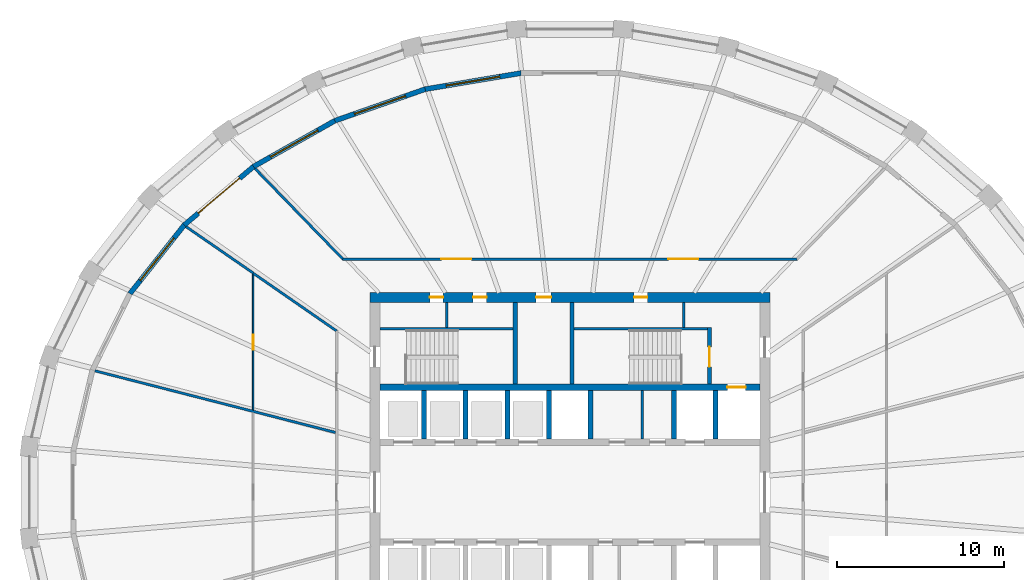
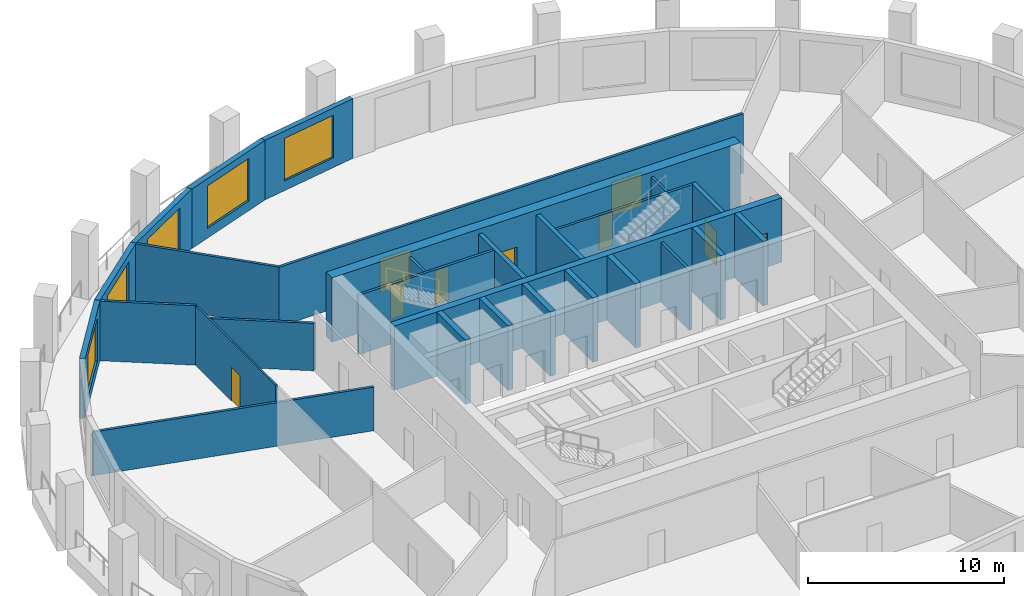
# One storey, part 6 of 10: 28 walls, 10 doors, 4 windows, 14 openings.
"""IFC4 building model written with IfcOpenShell, lengths in metres."""

from ifc_helpers import new_model, si_unit, direction, frame, frame_2d, origin, place, context, subcontext, project, spatial, polyline, rectangle, outline, extrude, material, layer, layer_set, type_object, element, fill, save


model = new_model("IFC4")

# Units and contexts
model_context = context("Model", 3, precision=1e-05, world=origin(), true_north=direction((0.0, 1.0)))
body_context = subcontext(model_context, "Body", "Model", "MODEL_VIEW")
ifc_project = project(units=[si_unit("LENGTHUNIT", "METRE"), si_unit("AREAUNIT", "SQUARE_METRE"), si_unit("VOLUMEUNIT", "CUBIC_METRE"), si_unit("PLANEANGLEUNIT", "RADIAN"), si_unit("MASSUNIT", "GRAM", prefix="KILO")], contexts=[model_context])

# Site, building, storey
site_placement = place(None, origin())
site = spatial("IfcSite", under=ifc_project, at=site_placement, CompositionType="ELEMENT")
building_placement = place(site_placement, origin())
building = spatial("IfcBuilding", under=site, at=building_placement, Name="Halqa Exchange Tower", CompositionType="ELEMENT")
storey_placement = place(building_placement, frame((0.0, 0.0, 190.89990234375)))
storey = spatial("IfcBuildingStorey", under=building, at=storey_placement, Name="L43", CompositionType="ELEMENT", Elevation=190.89990234375)

# Walls
ifc_material_1 = material(Name="Fire-rated gypsum board")
ifc_layer_1 = layer(ifc_material_1, 0.14990234375)
ifc_layer_set_1 = layer_set([ifc_layer_1], Name="Fire-rated gypsum board")
wall_type_1 = type_object("IfcWallType", Name="Fire partition EI 60 150", PredefinedType="PARTITIONING", material=ifc_layer_set_1)
wall_1_placement = place(storey_placement, frame((-28.494384765625, 7.294189453125, 0.0), z_axis=(0.0, 0.0, 1.0), x_axis=(0.96870063855, -0.248231893342, 0.0)))
element("IfcWall", 1, at=wall_1_placement, inside=storey, type_object=wall_type_1, Name="L43-PWL-002", PredefinedType="PARTITIONING", context=body_context, shape_type="SweptSolid", body=[
    extrude(outline(polyline([(0.0, -0.074951171875), (1.97314453125, -0.074951171875), (3.946533203125, -0.074951171875), (5.919677734375, -0.074951171875), (7.892822265625, -0.074951171875), (9.8662109375, -0.074951171875), (9.87158203125, -0.073486328125), (9.8720703125, -0.074951171875), (11.54931640625, -0.074951171875), (13.226806640625, -0.074951171875), (14.904296875, -0.074951171875), (14.904296875, -0.07421875), (14.865966796875, 0.074951171875), (13.156005859375, 0.074951171875), (11.446044921875, 0.074951171875), (9.736083984375, 0.074951171875), (9.730712890625, 0.073486328125), (9.730224609375, 0.074951171875), (7.787109375, 0.074951171875), (5.84375, 0.074951171875), (3.900634765625, 0.074951171875), (1.957275390625, 0.074951171875), (0.013916015625, 0.074951171875), (0.0, 0.0078125), (0.0, -0.074951171875)])), origin(), (0.0, 0.0, 1.0), 2.710205078125),
])
wall_2_placement = place(storey_placement, frame((-23.024169921875, 15.940185546875, 0.0), z_axis=(0.0, 0.0, 1.0), x_axis=(0.822739240619, -0.568418984505, 0.0)))
element("IfcWall", 2, at=wall_2_placement, inside=storey, type_object=wall_type_1, Name="L43-PWL-004", PredefinedType="PARTITIONING", context=body_context, shape_type="SweptSolid", body=[
    extrude(outline(polyline([(4.896728515625, 0.074951171875), (3.272705078125, 0.074951171875), (1.648681640625, 0.074951171875), (0.024658203125, 0.074951171875), (0.004638671875, 0.001708984375), (0.0, -0.0693359375), (0.0, -0.074951171875), (1.63232421875, -0.074951171875), (3.264404296875, -0.074951171875), (4.896728515625, -0.074951171875), (4.896728515625, 0.074951171875)])), origin(), (0.0, 0.0, 1.0), 3.7001953125),
])
wall_3_placement = place(storey_placement, frame((-19.0, 13.14990234375, 0.0), z_axis=(0.0, 0.0, 1.0), x_axis=(0.822301327334, -0.569052306088, 0.0)))
element("IfcWall", 3, at=wall_3_placement, inside=storey, type_object=wall_type_1, Name="L43-PWL-008", PredefinedType="PARTITIONING", context=body_context, shape_type="SweptSolid", body=[
    extrude(outline(polyline([(0.0, -0.074951171875), (1.51025390625, -0.074951171875), (3.0205078125, -0.074951171875), (4.53076171875, -0.074951171875), (6.041015625, -0.074951171875), (6.11962890625, 0.074951171875), (4.589599609375, 0.074951171875), (3.059814453125, 0.074951171875), (1.52978515625, 0.074951171875), (0.0, 0.074951171875), (0.0, -0.074951171875)])), origin(), (0.0, 0.0, 1.0), 2.947021484375),
])
wall_4_placement = place(storey_placement, frame((-18.89306640625, 19.427001953125, 0.0), z_axis=(0.0, 0.0, 1.0), x_axis=(0.696864554069, -0.717202756048, 0.0)))
element("IfcWall", 4, at=wall_4_placement, inside=storey, type_object=wall_type_1, Name="L43-PWL-009", PredefinedType="PARTITIONING", context=body_context, shape_type="SweptSolid", body=[
    extrude(outline(polyline([(0.0, -0.074951171875), (1.899658203125, -0.074951171875), (3.79931640625, -0.074951171875), (5.698974609375, -0.074951171875), (7.5986328125, -0.074951171875), (7.56689453125, 0.0), (7.53515625, 0.074951171875), (5.65771484375, 0.074951171875), (3.7802734375, 0.074951171875), (1.90283203125, 0.074951171875), (0.025390625, 0.074951171875), (0.0048828125, -0.002685546875), (0.0, -0.072998046875), (0.0, -0.074951171875)])), origin(), (0.0, 0.0, 1.0), 3.7001953125),
])

# Wall, openings, doors
wall_5_placement = place(storey_placement, frame((-13.651611328125, 14.0, 0.0), z_axis=(0.0, 0.0, 1.0), x_axis=(1.0, 0.0, 0.0)))
wall_5 = element("IfcWall", 5, at=wall_5_placement, inside=storey, type_object=wall_type_1, Name="L43-PWL-012", PredefinedType="PARTITIONING", context=body_context, shape_type="SweptSolid", body=[
    extrude(outline(polyline([(27.30322265625, -0.074951171875), (27.30322265625, -0.07470703125), (27.239990234375, 0.074951171875), (25.298828125, 0.074951171875), (23.357666015625, 0.074951171875), (21.416259765625, 0.074951171875), (19.47509765625, 0.074951171875), (17.533935546875, 0.074951171875), (15.5927734375, 0.074951171875), (13.651611328125, 0.074951171875), (11.71044921875, 0.074951171875), (9.769287109375, 0.074951171875), (7.828125, 0.074951171875), (5.886962890625, 0.074951171875), (3.945556640625, 0.074951171875), (2.00439453125, 0.074951171875), (0.063232421875, 0.074951171875), (0.0, -0.07470703125), (0.0, -0.074951171875), (1.9501953125, -0.074951171875), (3.900390625, -0.074951171875), (5.8505859375, -0.074951171875), (7.801025390625, -0.074951171875), (9.751220703125, -0.074951171875), (11.701416015625, -0.074951171875), (13.651611328125, -0.074951171875), (15.601806640625, -0.074951171875), (17.552001953125, -0.074951171875), (19.502197265625, -0.074951171875), (21.45263671875, -0.074951171875), (23.40283203125, -0.074951171875), (25.35302734375, -0.074951171875), (27.30322265625, -0.074951171875)])), origin(), (0.0, 0.0, 1.0), 3.7001953125),
])
opening_1_placement = place(wall_5_placement, frame((19.561767578125, 0.0, 0.0)))
opening_1 = element("IfcOpeningElement", 6, at=opening_1_placement, cuts=wall_5, Name="Opening 13-01", PredefinedType="OPENING", context=body_context, shape_type="SweptSolid", body=[
    extrude(rectangle(XDim=1.800048828125, YDim=2.10009765625, at=frame_2d((0.89990234375, 1.050048828125))), frame((0.0, 0.0869140625, 0.0), z_axis=(0.0, -1.0, 0.0), x_axis=(1.0, 0.0, 0.0)), (0.0, 0.0, 1.0), 0.173828125),
])
opening_2_placement = place(wall_5_placement, frame((5.941650390625, 0.0, 0.0)))
opening_2 = element("IfcOpeningElement", 7, at=opening_2_placement, cuts=wall_5, Name="Opening 13-02", PredefinedType="OPENING", context=body_context, shape_type="SweptSolid", body=[
    extrude(rectangle(XDim=1.800048828125, YDim=2.10009765625, at=frame_2d((0.89990234375, 1.050048828125))), frame((0.0, 0.0869140625, 0.0), z_axis=(0.0, -1.0, 0.0), x_axis=(1.0, 0.0, 0.0)), (0.0, 0.0, 1.0), 0.173828125),
])
ifc_material_2 = material(Name="Steel fire door leaf", Category="steel")
door_type_1 = type_object("IfcDoorType", Name="Fire door FD30S double 1800 x 2100", OperationType="DOUBLE_DOOR_SINGLE_SWING", PredefinedType="DOOR", material=ifc_material_2)
door_1_placement = place(opening_1_placement, origin())
door_1 = element("IfcDoor", 8, at=door_1_placement, inside=storey, type_object=door_type_1, Name="L43-IDR-001", OperationType="DOUBLE_DOOR_SINGLE_SWING", OverallHeight=2.10009765625, OverallWidth=1.800048828125, PredefinedType="DOOR", context=body_context, shape_type="SweptSolid", body=[
    extrude(rectangle(XDim=1.800048828125, YDim=2.10009765625, at=frame_2d((0.89990234375, 1.050048828125))), frame((0.0, 0.02490234375, 0.0), z_axis=(0.0, -1.0, 0.0), x_axis=(1.0, 0.0, 0.0)), (0.0, 0.0, 1.0), 0.050048828125),
])
fill(opening_1, door_1)
door_2_placement = place(opening_2_placement, origin())
door_2 = element("IfcDoor", 9, at=door_2_placement, inside=storey, type_object=door_type_1, Name="L43-IDR-002", OperationType="DOUBLE_DOOR_SINGLE_SWING", OverallHeight=2.10009765625, OverallWidth=1.800048828125, PredefinedType="DOOR", context=body_context, shape_type="SweptSolid", body=[
    extrude(rectangle(XDim=1.800048828125, YDim=2.10009765625, at=frame_2d((0.89990234375, 1.050048828125))), frame((0.0, 0.02490234375, 0.0), z_axis=(0.0, -1.0, 0.0), x_axis=(1.0, 0.0, 0.0)), (0.0, 0.0, 1.0), 0.050048828125),
])
fill(opening_2, door_2)

# Wall, opening, door
ifc_material_3 = material(Name="Gypsum board")
ifc_layer_2 = layer(ifc_material_3, 0.10009765625)
ifc_layer_set_2 = layer_set([ifc_layer_2], Name="Gypsum board")
wall_type_2 = type_object("IfcWallType", Name="Partition 100 gypsum", PredefinedType="PARTITIONING", material=ifc_layer_set_2)
wall_6_placement = place(storey_placement, frame((-19.0, 4.926025390625, 0.0), z_axis=(0.0, 0.0, 1.0), x_axis=(0.0, 1.0, 0.0)))
wall_6 = element("IfcWall", 10, at=wall_6_placement, inside=storey, type_object=wall_type_2, Name="L43-PWL-007", PredefinedType="PARTITIONING", context=body_context, shape_type="SweptSolid", body=[
    extrude(outline(polyline([(0.0, -0.050048828125), (1.61962890625, -0.050048828125), (3.2392578125, -0.050048828125), (4.85888671875, -0.050048828125), (6.478515625, -0.050048828125), (8.09814453125, -0.050048828125), (8.162353515625, 0.042724609375), (8.169189453125, 0.0380859375), (8.177001953125, 0.049560546875), (8.177001953125, 0.050048828125), (6.546630859375, 0.050048828125), (4.91650390625, 0.050048828125), (3.2861328125, 0.050048828125), (1.65576171875, 0.050048828125), (0.025390625, 0.050048828125), (0.0, -0.04931640625), (0.0, -0.050048828125)])), origin(), (0.0, 0.0, 1.0), 3.7001953125),
])
opening_3_placement = place(wall_6_placement, frame((3.62890625, 0.0, 0.0)))
opening_3 = element("IfcOpeningElement", 11, at=opening_3_placement, cuts=wall_6, Name="Opening 13-12", PredefinedType="OPENING", context=body_context, shape_type="SweptSolid", body=[
    extrude(rectangle(XDim=0.89990234375, YDim=2.10009765625, at=frame_2d((0.449951171875, 1.050048828125))), frame((0.0, 0.06201171875, 0.0), z_axis=(0.0, -1.0, 0.0), x_axis=(1.0, 0.0, 0.0)), (0.0, 0.0, 1.0), 0.1240234375),
])
ifc_material_4 = material(Name="Timber door leaf", Category="wood")
door_type_2 = type_object("IfcDoorType", Name="Door 900 x 2100", OperationType="SINGLE_SWING_LEFT", PredefinedType="DOOR", material=ifc_material_4)
door_3_placement = place(opening_3_placement, frame((0.89990234375, 0.0, 0.0), z_axis=(0.0, 0.0, 1.0), x_axis=(-1.0, 0.0, 0.0)))
door_3 = element("IfcDoor", 12, at=door_3_placement, inside=storey, type_object=door_type_2, Name="L43-IDR-012", OperationType="SINGLE_SWING_RIGHT", OverallHeight=2.10009765625, OverallWidth=0.89990234375, PredefinedType="DOOR", context=body_context, shape_type="SweptSolid", body=[
    extrude(rectangle(XDim=0.89990234375, YDim=2.10009765625, at=frame_2d((0.449951171875, 1.050048828125))), frame((0.0, 0.02490234375, 0.0), z_axis=(0.0, -1.0, 0.0), x_axis=(1.0, 0.0, 0.0)), (0.0, 0.0, 1.0), 0.050048828125),
])
fill(opening_3, door_3)

# Walls
ifc_layer_3 = layer(ifc_material_3, 0.14990234375)
ifc_layer_set_3 = layer_set([ifc_layer_3], Name="Gypsum board")
wall_type_3 = type_object("IfcWallType", Name="Penthouse riser wall 150 gypsum", PredefinedType="PARTITIONING", material=ifc_layer_set_3)
for number, where, z_axis, x_axis, name in (
    (13, (-7.39990234375, 9.89990234375, 0.0), (0.0, 0.0, 1.0), (0.0, 1.0, 0.0), "Partition W7.400 N"),
    (14, (6.824951171875, 9.89990234375, 0.0), (0.0, 0.0, 1.0), (0.0, 1.0, 0.0), "Firefighting lobby west wall N"),
):
    element("IfcWall", number, at=place(storey_placement, frame(where, z_axis=z_axis, x_axis=x_axis)), inside=storey, type_object=wall_type_3, Name=name, PredefinedType="PARTITIONING", context=body_context, shape_type="SweptSolid", body=[
        extrude(rectangle(XDim=1.5, YDim=0.14990234375, at=frame_2d((0.75, 0.0))), origin(), (0.0, 0.0, 1.0), 3.7001953125),
    ])
wall_7_placement = place(storey_placement, frame((4.35009765625, 3.199951171875, 0.0), z_axis=(0.0, 0.0, 1.0), x_axis=(0.0, 1.0, 0.0)))
element("IfcWall", 15, at=wall_7_placement, inside=storey, type_object=wall_type_3, Name="Freed bay partition NE4.350", PredefinedType="PARTITIONING", context=body_context, shape_type="SweptSolid", body=[
    extrude(rectangle(XDim=2.900146484375, YDim=0.14990234375, at=frame_2d((1.4501953125, 0.0))), origin(), (0.0, 0.0, 1.0), 3.7001953125),
])
ifc_material_5 = material(Name="Concrete C60/75", Category="concrete")
ifc_layer_4 = layer(ifc_material_5, 0.300048828125)
ifc_layer_set_4 = layer_set([ifc_layer_4], Name="Concrete C60/75")
wall_type_4 = type_object("IfcWallType", Name="RC core wall 300", PredefinedType="SHEAR", material=ifc_layer_set_4)
for number, where, z_axis, x_axis, name in (
    (16, (-8.75, 3.199951171875, 0.0), (0.0, 0.0, 1.0), (0.0, 1.0, 0.0), "Shaft divider N1"),
    (17, (-6.25, 3.199951171875, 0.0), (0.0, 0.0, 1.0), (0.0, 1.0, 0.0), "Shaft divider N2"),
    (18, (-3.75, 3.199951171875, 0.0), (0.0, 0.0, 1.0), (0.0, 1.0, 0.0), "Shaft divider N3"),
    (19, (-1.25, 3.199951171875, 0.0), (0.0, 0.0, 1.0), (0.0, 1.0, 0.0), "Shaft divider N4"),
    (20, (1.25, 3.199951171875, 0.0), (0.0, 0.0, 1.0), (0.0, 1.0, 0.0), "Shaft divider N5"),
    (21, (6.25, 3.199951171875, 0.0), (0.0, 0.0, 1.0), (0.0, 1.0, 0.0), "Shaft divider N7"),
    (22, (8.75, 3.199951171875, 0.0), (0.0, 0.0, 1.0), (0.0, 1.0, 0.0), "Shaft divider N8"),
):
    element("IfcWall", number, at=place(storey_placement, frame(where, z_axis=z_axis, x_axis=x_axis)), inside=storey, type_object=wall_type_4, Name=name, PredefinedType="SHEAR", context=body_context, shape_type="SweptSolid", body=[
        extrude(rectangle(XDim=2.900146484375, YDim=0.300048828125, at=frame_2d((1.4501953125, 0.0))), origin(), (0.0, 0.0, 1.0), 4.0),
    ])

# Wall, opening, door
ifc_material_6 = material(Name="Concrete C70/85", Category="concrete")
ifc_layer_5 = layer(ifc_material_6, 0.39990234375)
ifc_layer_set_5 = layer_set([ifc_layer_5], Name="Concrete C70/85")
wall_type_5 = type_object("IfcWallType", Name="RC core wall 400 C70/85", PredefinedType="SHEAR", material=ifc_layer_set_5)
wall_8_placement = place(storey_placement, frame((-11.39990234375, 6.300048828125, 0.0), z_axis=(0.0, 0.0, 1.0), x_axis=(1.0, 0.0, 0.0)))
wall_8 = element("IfcWall", 23, at=wall_8_placement, inside=storey, type_object=wall_type_5, Name="Lift row back wall N", PredefinedType="SHEAR", context=body_context, shape_type="SweptSolid", body=[
    extrude(rectangle(XDim=22.7998046875, YDim=0.39990234375, at=frame_2d((11.39990234375, 0.0))), origin(), (0.0, 0.0, 1.0), 4.0),
])
opening_4_placement = place(wall_8_placement, frame((20.85009765625, 0.0, 0.0)))
opening_4 = element("IfcOpeningElement", 24, at=opening_4_placement, cuts=wall_8, Name="Opening LD-FF1-T13", PredefinedType="OPENING", context=body_context, shape_type="SweptSolid", body=[
    extrude(rectangle(XDim=1.10009765625, YDim=2.10009765625, at=frame_2d((0.550048828125, 1.050048828125))), frame((0.0, 0.2119140625, 0.0), z_axis=(0.0, -1.0, 0.0), x_axis=(1.0, 0.0, 0.0)), (0.0, 0.0, 1.0), 0.423828125),
])
ifc_material_7 = material(Name="Stainless steel", Category="steel")
door_type_3 = type_object("IfcDoorType", Name="Lift landing door 1100 x 2100", OperationType="SLIDING_TO_LEFT", PredefinedType="DOOR", material=ifc_material_7)
door_4_placement = place(opening_4_placement, origin())
door_4 = element("IfcDoor", 25, at=door_4_placement, inside=storey, type_object=door_type_3, Name="Lift landing door FF1", OperationType="SLIDING_TO_LEFT", OverallHeight=2.10009765625, OverallWidth=1.10009765625, PredefinedType="DOOR", context=body_context, shape_type="SweptSolid", body=[
    extrude(rectangle(XDim=1.10009765625, YDim=2.10009765625, at=frame_2d((0.550048828125, 1.050048828125))), frame((0.0, 0.02490234375, 0.0), z_axis=(0.0, -1.0, 0.0), x_axis=(1.0, 0.0, 0.0)), (0.0, 0.0, 1.0), 0.050048828125),
])
fill(opening_4, door_4)

# Wall, openings, doors
ifc_layer_6 = layer(ifc_material_6, 0.60009765625)
ifc_layer_set_6 = layer_set([ifc_layer_6], Name="Concrete C70/85")
wall_type_6 = type_object("IfcWallType", Name="RC core wall 600 C70/85", PredefinedType="SHEAR", material=ifc_layer_set_6)
wall_9_placement = place(storey_placement, frame((-12.0, 11.699951171875, 0.0), z_axis=(0.0, 0.0, 1.0), x_axis=(1.0, 0.0, 0.0)))
wall_9 = element("IfcWall", 26, at=wall_9_placement, inside=storey, type_object=wall_type_6, Name="Core wall north", PredefinedType="SHEAR", context=body_context, shape_type="SweptSolid", body=[
    extrude(rectangle(XDim=24.0, YDim=0.60009765625, at=frame_2d((12.0, 0.0))), origin(), (0.0, 0.0, 1.0), 4.0),
])
opening_5_placement = place(wall_9_placement, frame((9.97509765625, 0.0, 0.0)))
opening_5 = element("IfcOpeningElement", 27, at=opening_5_placement, cuts=wall_9, Name="Opening T13-C21", PredefinedType="OPENING", context=body_context, shape_type="SweptSolid", body=[
    extrude(rectangle(XDim=0.89990234375, YDim=2.10009765625, at=frame_2d((0.449951171875, 1.050048828125))), frame((0.0, 0.31201171875, 0.0), z_axis=(0.0, -1.0, 0.0), x_axis=(1.0, 0.0, 0.0)), (0.0, 0.0, 1.0), 0.6240234375),
])
opening_6_placement = place(wall_9_placement, frame((3.60009765625, 0.0, 0.0)))
opening_6 = element("IfcOpeningElement", 28, at=opening_6_placement, cuts=wall_9, Name="Opening T13-C22", PredefinedType="OPENING", context=body_context, shape_type="SweptSolid", body=[
    extrude(rectangle(XDim=0.800048828125, YDim=2.10009765625, at=frame_2d((0.39990234375, 1.050048828125))), frame((0.0, 0.31201171875, 0.0), z_axis=(0.0, -1.0, 0.0), x_axis=(1.0, 0.0, 0.0)), (0.0, 0.0, 1.0), 0.6240234375),
])
opening_7_placement = place(wall_9_placement, frame((6.199951171875, 0.0, 0.0)))
opening_7 = element("IfcOpeningElement", 29, at=opening_7_placement, cuts=wall_9, Name="Opening T13-C23", PredefinedType="OPENING", context=body_context, shape_type="SweptSolid", body=[
    extrude(rectangle(XDim=0.800048828125, YDim=2.10009765625, at=frame_2d((0.39990234375, 1.050048828125))), frame((0.0, 0.31201171875, 0.0), z_axis=(0.0, -1.0, 0.0), x_axis=(1.0, 0.0, 0.0)), (0.0, 0.0, 1.0), 0.6240234375),
])
opening_8_placement = place(wall_9_placement, frame((15.85009765625, 0.0, 0.0)))
opening_8 = element("IfcOpeningElement", 30, at=opening_8_placement, cuts=wall_9, Name="Opening T13-C24", PredefinedType="OPENING", context=body_context, shape_type="SweptSolid", body=[
    extrude(rectangle(XDim=0.800048828125, YDim=2.10009765625, at=frame_2d((0.39990234375, 1.050048828125))), frame((0.0, 0.31201171875, 0.0), z_axis=(0.0, -1.0, 0.0), x_axis=(1.0, 0.0, 0.0)), (0.0, 0.0, 1.0), 0.6240234375),
])
ifc_material_8 = material(Name="Timber fire door leaf", Category="wood")
door_type_4 = type_object("IfcDoorType", Name="Core room door FD30 900 x 2100", OperationType="SINGLE_SWING_LEFT", PredefinedType="DOOR", material=ifc_material_8)
door_5_placement = place(opening_5_placement, frame((0.89990234375, 0.0, 0.0), z_axis=(0.0, 0.0, 1.0), x_axis=(-1.0, 0.0, 0.0)))
door_5 = element("IfcDoor", 31, at=door_5_placement, inside=storey, type_object=door_type_4, Name="Core room door", OperationType="SINGLE_SWING_RIGHT", OverallHeight=2.10009765625, OverallWidth=0.89990234375, PredefinedType="DOOR", context=body_context, shape_type="SweptSolid", body=[
    extrude(rectangle(XDim=0.89990234375, YDim=2.10009765625, at=frame_2d((0.449951171875, 1.050048828125))), frame((0.0, 0.02490234375, 0.0), z_axis=(0.0, -1.0, 0.0), x_axis=(1.0, 0.0, 0.0)), (0.0, 0.0, 1.0), 0.050048828125),
])
fill(opening_5, door_5)
door_type_5 = type_object("IfcDoorType", Name="Riser door FD60 800 x 2100", OperationType="SINGLE_SWING_LEFT", PredefinedType="DOOR", material=ifc_material_2)
door_6_placement = place(opening_6_placement, frame((0.800048828125, 0.0, 0.0), z_axis=(0.0, 0.0, 1.0), x_axis=(-1.0, 0.0, 0.0)))
door_6 = element("IfcDoor", 32, at=door_6_placement, inside=storey, type_object=door_type_5, Name="Core room door", OperationType="SINGLE_SWING_RIGHT", OverallHeight=2.10009765625, OverallWidth=0.800048828125, PredefinedType="DOOR", context=body_context, shape_type="SweptSolid", body=[
    extrude(rectangle(XDim=0.800048828125, YDim=2.10009765625, at=frame_2d((0.39990234375, 1.050048828125))), frame((0.0, 0.02490234375, 0.0), z_axis=(0.0, -1.0, 0.0), x_axis=(1.0, 0.0, 0.0)), (0.0, 0.0, 1.0), 0.050048828125),
])
fill(opening_6, door_6)
door_7_placement = place(opening_7_placement, frame((0.800048828125, 0.0, 0.0), z_axis=(0.0, 0.0, 1.0), x_axis=(-1.0, 0.0, 0.0)))
door_7 = element("IfcDoor", 33, at=door_7_placement, inside=storey, type_object=door_type_5, Name="Core room door", OperationType="SINGLE_SWING_RIGHT", OverallHeight=2.10009765625, OverallWidth=0.800048828125, PredefinedType="DOOR", context=body_context, shape_type="SweptSolid", body=[
    extrude(rectangle(XDim=0.800048828125, YDim=2.10009765625, at=frame_2d((0.39990234375, 1.050048828125))), frame((0.0, 0.02490234375, 0.0), z_axis=(0.0, -1.0, 0.0), x_axis=(1.0, 0.0, 0.0)), (0.0, 0.0, 1.0), 0.050048828125),
])
fill(opening_7, door_7)
door_8_placement = place(opening_8_placement, frame((0.800048828125, 0.0, 0.0), z_axis=(0.0, 0.0, 1.0), x_axis=(-1.0, 0.0, 0.0)))
door_8 = element("IfcDoor", 34, at=door_8_placement, inside=storey, type_object=door_type_5, Name="Core room door", OperationType="SINGLE_SWING_RIGHT", OverallHeight=2.10009765625, OverallWidth=0.800048828125, PredefinedType="DOOR", context=body_context, shape_type="SweptSolid", body=[
    extrude(rectangle(XDim=0.800048828125, YDim=2.10009765625, at=frame_2d((0.39990234375, 1.050048828125))), frame((0.0, 0.02490234375, 0.0), z_axis=(0.0, -1.0, 0.0), x_axis=(1.0, 0.0, 0.0)), (0.0, 0.0, 1.0), 0.050048828125),
])
fill(opening_8, door_8)

# Walls
ifc_material_9 = material(Name="Concrete C30/37", Category="concrete")
ifc_layer_7 = layer(ifc_material_9, 0.14990234375)
ifc_layer_set_7 = layer_set([ifc_layer_7], Name="Concrete C30/37")
wall_type_7 = type_object("IfcWallType", Name="RC stair wall 150 C30/37", PredefinedType="SHEAR", material=ifc_layer_set_7)
for number, where, z_axis, x_axis, name in (
    (35, (-11.39990234375, 9.824951171875, 0.0), (0.0, 0.0, 1.0), (1.0, 0.0, 0.0), "Stair ST1 north wall N"),
    (36, (0.25, 9.824951171875, 0.0), (0.0, 0.0, 1.0), (1.0, 0.0, 0.0), "Stair ST2 north wall N"),
):
    element("IfcWall", number, at=place(storey_placement, frame(where, z_axis=z_axis, x_axis=x_axis)), inside=storey, type_object=wall_type_7, Name=name, PredefinedType="SHEAR", context=body_context, shape_type="SweptSolid", body=[
        extrude(rectangle(XDim=8.0, YDim=0.14990234375, at=frame_2d((4.0, 0.0))), origin(), (0.0, 0.0, 1.0), 3.7001953125),
    ])
ifc_layer_8 = layer(ifc_material_9, 0.25)
ifc_layer_set_8 = layer_set([ifc_layer_8], Name="Concrete C30/37")
wall_type_8 = type_object("IfcWallType", Name="RC stair wall 250 C30/37", PredefinedType="SHEAR", material=ifc_layer_set_8)
for number, where, z_axis, x_axis, name in (
    (37, (-3.27490234375, 6.5, 0.0), (0.0, 0.0, 1.0), (0.0, 1.0, 0.0), "Stair ST1 east wall N"),
    (38, (0.125, 6.5, 0.0), (0.0, 0.0, 1.0), (0.0, 1.0, 0.0), "Stair ST2 west wall N"),
):
    element("IfcWall", number, at=place(storey_placement, frame(where, z_axis=z_axis, x_axis=x_axis)), inside=storey, type_object=wall_type_8, Name=name, PredefinedType="SHEAR", context=body_context, shape_type="SweptSolid", body=[
        extrude(rectangle(XDim=4.89990234375, YDim=0.25, at=frame_2d((2.449951171875, 0.0))), origin(), (0.0, 0.0, 1.0), 3.7001953125),
    ])

# Wall, opening, door
wall_10_placement = place(storey_placement, frame((8.375, 6.5, 0.0), z_axis=(0.0, 0.0, 1.0), x_axis=(0.0, 1.0, 0.0)))
wall_10 = element("IfcWall", 39, at=wall_10_placement, inside=storey, type_object=wall_type_8, Name="Stair ST2 east wall N", PredefinedType="SHEAR", context=body_context, shape_type="SweptSolid", body=[
    extrude(rectangle(XDim=3.39990234375, YDim=0.25, at=frame_2d((1.699951171875, 0.0))), origin(), (0.0, 0.0, 1.0), 3.7001953125),
])
opening_9_placement = place(wall_10_placement, frame((1.02490234375, 0.0, 0.0)))
opening_9 = element("IfcOpeningElement", 40, at=opening_9_placement, cuts=wall_10, Name="Opening T13-C16", PredefinedType="OPENING", context=body_context, shape_type="SweptSolid", body=[
    extrude(rectangle(XDim=1.199951171875, YDim=2.10009765625, at=frame_2d((0.60009765625, 1.050048828125))), frame((0.0, 0.136962890625, 0.0), z_axis=(0.0, -1.0, 0.0), x_axis=(1.0, 0.0, 0.0)), (0.0, 0.0, 1.0), 0.27392578125),
])
door_type_6 = type_object("IfcDoorType", Name="Stair door FD90 1200 x 2100", OperationType="SINGLE_SWING_LEFT", PredefinedType="DOOR", material=ifc_material_2)
door_9_placement = place(opening_9_placement, origin())
door_9 = element("IfcDoor", 41, at=door_9_placement, inside=storey, type_object=door_type_6, Name="Stair door ST2", OperationType="SINGLE_SWING_LEFT", OverallHeight=2.10009765625, OverallWidth=1.199951171875, PredefinedType="DOOR", context=body_context, shape_type="SweptSolid", body=[
    extrude(rectangle(XDim=1.199951171875, YDim=2.10009765625, at=frame_2d((0.60009765625, 1.050048828125))), frame((0.0, 0.02490234375, 0.0), z_axis=(0.0, -1.0, 0.0), x_axis=(1.0, 0.0, 0.0)), (0.0, 0.0, 1.0), 0.050048828125),
])
fill(opening_9, door_9)

# Wall, opening, window
ifc_material_10 = material(Name="Limestone cladding", Category="masonry")
ifc_layer_9 = layer(ifc_material_10, 0.0400390625)
ifc_material_11 = material(Name="Ventilated cavity")
ifc_layer_10 = layer(ifc_material_11, 0.030029296875, ventilated=True)
ifc_material_12 = material(Name="Mineral wool insulation")
ifc_layer_11 = layer(ifc_material_12, 0.10009765625)
ifc_layer_12 = layer(ifc_material_9, 0.10009765625)
ifc_material_13 = material(Name="Internal plaster")
ifc_layer_13 = layer(ifc_material_13, 0.030029296875)
ifc_layer_set_9 = layer_set([ifc_layer_9, ifc_layer_10, ifc_layer_11, ifc_layer_12, ifc_layer_13], Name="Stone-faced insulated wall 300")
wall_type_9 = type_object("IfcWallType", Name="Stone-faced insulated wall 300", PredefinedType="STANDARD", material=ifc_layer_set_9)
wall_11_placement = place(storey_placement, frame((-2.931396484375, 25.15380859375, 0.0), z_axis=(0.0, 0.0, 1.0), x_axis=(-0.986207709048, -0.165512400181, 0.0)))
wall_11 = element("IfcWall", 42, at=wall_11_placement, inside=storey, type_object=wall_type_9, Name="Glass-line wall 9", PredefinedType="STANDARD", context=body_context, shape_type="SweptSolid", body=[
    extrude(outline(polyline([(-0.012451171875, -0.14990234375), (5.843505859375, -0.14990234375), (5.818115234375, 0.14990234375), (0.012451171875, 0.14990234375), (-0.012451171875, -0.14990234375)])), origin(), (0.0, 0.0, 1.0), 3.7001953125),
])
opening_10_placement = place(wall_11_placement, frame((1.29052734375, 0.0, 0.60009765625)))
opening_10 = element("IfcOpeningElement", 43, at=opening_10_placement, cuts=wall_11, Name="Opening W-F3-09", PredefinedType="OPENING", context=body_context, shape_type="SweptSolid", body=[
    extrude(rectangle(XDim=3.25, YDim=2.64990234375, at=frame_2d((1.625, 1.324951171875))), frame((0.0, 0.162109375, 0.0), z_axis=(0.0, -1.0, 0.0), x_axis=(1.0, 0.0, 0.0)), (0.0, 0.0, 1.0), 0.323974609375),
])
ifc_material_14 = material(Name="Clear low-emissivity glass in aluminium frame", Category="aluminium")
window_type = type_object("IfcWindowType", Name="Fixed clear glazed window 3250 x 2650", PartitioningType="TRIPLE_PANEL_VERTICAL", PredefinedType="WINDOW", material=ifc_material_14)
window_1_placement = place(opening_10_placement, origin())
window_1 = element("IfcWindow", 44, at=window_1_placement, inside=storey, type_object=window_type, Name="Window 3", OverallHeight=2.64990234375, OverallWidth=3.25, PartitioningType="TRIPLE_PANEL_VERTICAL", PredefinedType="WINDOW", context=body_context, shape_type="SweptSolid", body=[
    extrude(rectangle(XDim=3.25, YDim=2.64990234375, at=frame_2d((1.625, 1.324951171875))), frame((0.0, 0.030029296875, 0.0), z_axis=(0.0, -1.0, 0.0), x_axis=(1.0, 0.0, 0.0)), (0.0, 0.0, 1.0), 0.06005859375),
])
fill(opening_10, window_1)

wall_12_placement = place(storey_placement, frame((-8.681884765625, 24.188720703125, 0.0), z_axis=(0.0, 0.0, 1.0), x_axis=(-0.944020060936, -0.329888048511, 0.0)))
wall_12 = element("IfcWall", 45, at=wall_12_placement, inside=storey, type_object=wall_type_9, Name="Glass-line wall 10", PredefinedType="STANDARD", context=body_context, shape_type="SweptSolid", body=[
    extrude(outline(polyline([(-0.0126953125, -0.14990234375), (5.752685546875, -0.14990234375), (5.725830078125, 0.14990234375), (0.0126953125, 0.14990234375), (-0.0126953125, -0.14990234375)])), origin(), (0.0, 0.0, 1.0), 3.7001953125),
])
opening_11_placement = place(wall_12_placement, frame((1.24462890625, 0.0, 0.60009765625)))
opening_11 = element("IfcOpeningElement", 46, at=opening_11_placement, cuts=wall_12, Name="Opening W-F3-10", PredefinedType="OPENING", context=body_context, shape_type="SweptSolid", body=[
    extrude(rectangle(XDim=3.25, YDim=2.64990234375, at=frame_2d((1.625, 1.324951171875))), frame((0.0, 0.162109375, 0.0), z_axis=(0.0, -1.0, 0.0), x_axis=(1.0, 0.0, 0.0)), (0.0, 0.0, 1.0), 0.323974609375),
])
window_2_placement = place(opening_11_placement, origin())
window_2 = element("IfcWindow", 47, at=window_2_placement, inside=storey, type_object=window_type, Name="Window 3", OverallHeight=2.64990234375, OverallWidth=3.25, PartitioningType="TRIPLE_PANEL_VERTICAL", PredefinedType="WINDOW", context=body_context, shape_type="SweptSolid", body=[
    extrude(rectangle(XDim=3.25, YDim=2.64990234375, at=frame_2d((1.625, 1.324951171875))), frame((0.0, 0.030029296875, 0.0), z_axis=(0.0, -1.0, 0.0), x_axis=(1.0, 0.0, 0.0)), (0.0, 0.0, 1.0), 0.06005859375),
])
fill(opening_11, window_2)

wall_13_placement = place(storey_placement, frame((-14.099853515625, 22.29541015625, 0.0), z_axis=(0.0, 0.0, 1.0), x_axis=(-0.871083701819, -0.491134588912, 0.0)))
wall_13 = element("IfcWall", 48, at=wall_13_placement, inside=storey, type_object=wall_type_9, Name="Glass-line wall 11", PredefinedType="STANDARD", context=body_context, shape_type="SweptSolid", body=[
    extrude(outline(polyline([(-0.013427734375, -0.14990234375), (5.613525390625, -0.14990234375), (5.585205078125, 0.14990234375), (0.013427734375, 0.14990234375), (-0.013427734375, -0.14990234375)])), origin(), (0.0, 0.0, 1.0), 3.7001953125),
])
opening_12_placement = place(wall_13_placement, frame((1.1748046875, 0.0, 0.60009765625)))
opening_12 = element("IfcOpeningElement", 49, at=opening_12_placement, cuts=wall_13, Name="Opening W-F3-11", PredefinedType="OPENING", context=body_context, shape_type="SweptSolid", body=[
    extrude(rectangle(XDim=3.25, YDim=2.64990234375, at=frame_2d((1.625, 1.324951171875))), frame((0.0, 0.162109375, 0.0), z_axis=(0.0, -1.0, 0.0), x_axis=(1.0, 0.0, 0.0)), (0.0, 0.0, 1.0), 0.323974609375),
])
window_3_placement = place(opening_12_placement, origin())
window_3 = element("IfcWindow", 50, at=window_3_placement, inside=storey, type_object=window_type, Name="Window 3", OverallHeight=2.64990234375, OverallWidth=3.25, PartitioningType="TRIPLE_PANEL_VERTICAL", PredefinedType="WINDOW", context=body_context, shape_type="SweptSolid", body=[
    extrude(rectangle(XDim=3.25, YDim=2.64990234375, at=frame_2d((1.625, 1.324951171875))), frame((0.0, 0.030029296875, 0.0), z_axis=(0.0, -1.0, 0.0), x_axis=(1.0, 0.0, 0.0)), (0.0, 0.0, 1.0), 0.06005859375),
])
fill(opening_12, window_3)

# Wall, opening, door
wall_14_placement = place(storey_placement, frame((-18.977294921875, 19.54541015625, 0.0), z_axis=(0.0, 0.0, 1.0), x_axis=(-0.764330261608, -0.644824977176, 0.0)))
wall_14 = element("IfcWall", 51, at=wall_14_placement, inside=storey, type_object=wall_type_9, Name="Glass-line wall 12", PredefinedType="STANDARD", context=body_context, shape_type="SweptSolid", body=[
    extrude(outline(polyline([(-0.01416015625, -0.14990234375), (5.4453125, -0.14990234375), (5.4150390625, 0.14990234375), (0.01416015625, 0.14990234375), (-0.01416015625, -0.14990234375)])), origin(), (0.0, 0.0, 1.0), 3.7001953125),
])
opening_13_placement = place(wall_14_placement, frame((1.090087890625, 0.0, 0.0)))
opening_13 = element("IfcOpeningElement", 52, at=opening_13_placement, cuts=wall_14, Name="Opening LG-F3-03", PredefinedType="OPENING", context=body_context, shape_type="SweptSolid", body=[
    extrude(rectangle(XDim=3.25, YDim=3.25, at=frame_2d((1.625, 1.625))), frame((0.0, 0.162109375, 0.0), z_axis=(0.0, -1.0, 0.0), x_axis=(1.0, 0.0, 0.0)), (0.0, 0.0, 1.0), 0.323974609375),
])
door_type_7 = type_object("IfcDoorType", Name="Glazed sliding loggia door 3250 x 3250", OperationType="DOUBLE_DOOR_SLIDING", PredefinedType="DOOR", material=ifc_material_14)
door_10_placement = place(opening_13_placement, origin())
door_10 = element("IfcDoor", 53, at=door_10_placement, inside=storey, type_object=door_type_7, Name="Loggia door 3", OperationType="DOUBLE_DOOR_SLIDING", OverallHeight=3.25, OverallWidth=3.25, PredefinedType="DOOR", context=body_context, shape_type="SweptSolid", body=[
    extrude(rectangle(XDim=3.25, YDim=3.25, at=frame_2d((1.625, 1.625))), frame((0.0, 0.02490234375, 0.0), z_axis=(0.0, -1.0, 0.0), x_axis=(1.0, 0.0, 0.0)), (0.0, 0.0, 1.0), 0.050048828125),
])
fill(opening_13, door_10)

# Wall, opening, window
wall_15_placement = place(storey_placement, frame((-23.127685546875, 16.0439453125, 0.0), z_axis=(0.0, 0.0, 1.0), x_axis=(-0.620829074232, -0.783945955145, 0.0)))
wall_15 = element("IfcWall", 54, at=wall_15_placement, inside=storey, type_object=wall_type_9, Name="Glass-line wall 13", PredefinedType="STANDARD", context=body_context, shape_type="SweptSolid", body=[
    extrude(outline(polyline([(-0.01513671875, -0.14990234375), (5.27099609375, -0.14990234375), (5.23876953125, 0.14990234375), (0.01513671875, 0.14990234375), (-0.01513671875, -0.14990234375)])), origin(), (0.0, 0.0, 1.0), 3.7001953125),
])
opening_14_placement = place(wall_15_placement, frame((1.002685546875, 0.0, 0.60009765625)))
opening_14 = element("IfcOpeningElement", 55, at=opening_14_placement, cuts=wall_15, Name="Opening W-F3-13", PredefinedType="OPENING", context=body_context, shape_type="SweptSolid", body=[
    extrude(rectangle(XDim=3.25, YDim=2.64990234375, at=frame_2d((1.625, 1.324951171875))), frame((0.0, 0.162109375, 0.0), z_axis=(0.0, -1.0, 0.0), x_axis=(1.0, 0.0, 0.0)), (0.0, 0.0, 1.0), 0.323974609375),
])
window_4_placement = place(opening_14_placement, origin())
window_4 = element("IfcWindow", 56, at=window_4_placement, inside=storey, type_object=window_type, Name="Window 3", OverallHeight=2.64990234375, OverallWidth=3.25, PartitioningType="TRIPLE_PANEL_VERTICAL", PredefinedType="WINDOW", context=body_context, shape_type="SweptSolid", body=[
    extrude(rectangle(XDim=3.25, YDim=2.64990234375, at=frame_2d((1.625, 1.324951171875))), frame((0.0, 0.030029296875, 0.0), z_axis=(0.0, -1.0, 0.0), x_axis=(1.0, 0.0, 0.0)), (0.0, 0.0, 1.0), 0.06005859375),
])
fill(opening_14, window_4)

save(model, "model.ifc")
